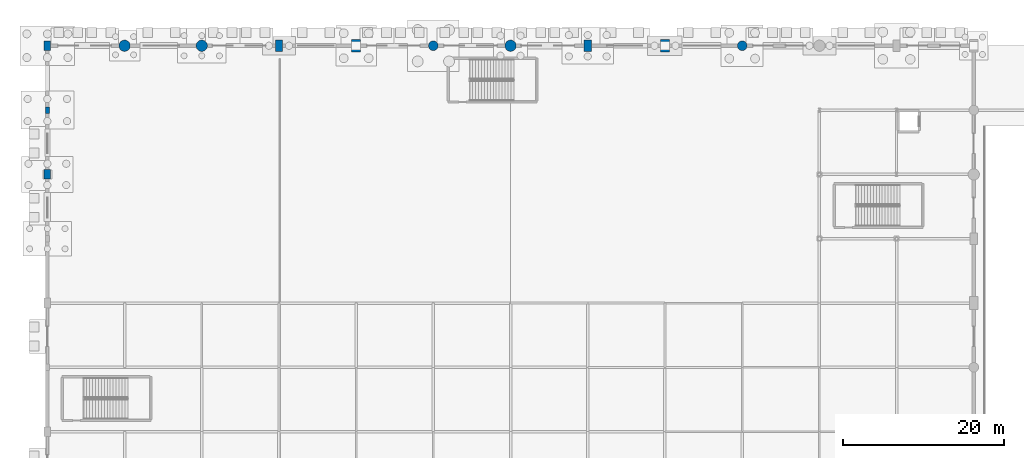
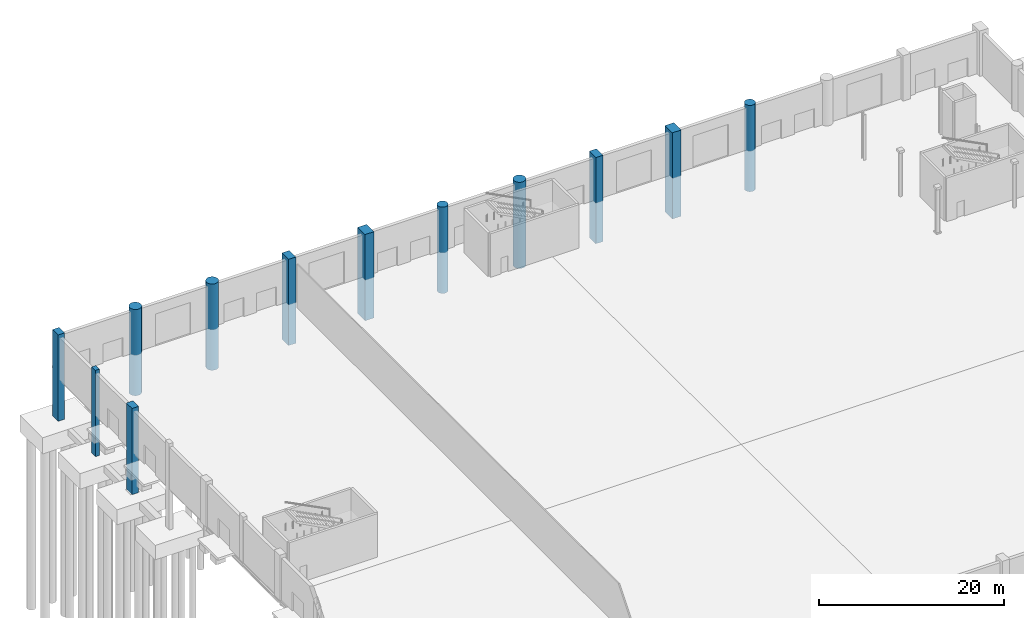
# One storey, part 29 of 124: 12 columns.
"""IFC4 building model written with IfcOpenShell, lengths in metres."""

from ifc_helpers import new_model, si_unit, direction, frame, origin, origin_2d, place, context, subcontext, project, spatial, rectangle, circle, extrude, material, material_profile, profile_set, type_object, element, save


model = new_model("IFC4")

# Units and contexts
model_context = context("Model", 3, precision=1e-05, world=origin(), true_north=direction((0.0, 1.0)))
body_context = subcontext(model_context, "Body", "Model", "MODEL_VIEW")
ifc_project = project(units=[si_unit("LENGTHUNIT", "METRE"), si_unit("AREAUNIT", "SQUARE_METRE"), si_unit("VOLUMEUNIT", "CUBIC_METRE"), si_unit("PLANEANGLEUNIT", "RADIAN"), si_unit("MASSUNIT", "GRAM", prefix="KILO")], contexts=[model_context])

# Site, building, storey
site_placement = place(None, origin())
site = spatial("IfcSite", under=ifc_project, at=site_placement, CompositionType="ELEMENT")
building_placement = place(site_placement, origin())
building = spatial("IfcBuilding", under=site, at=building_placement, Name="Danafjord Basin Convention Centre", CompositionType="ELEMENT")
storey_placement = place(building_placement, origin())
storey = spatial("IfcBuildingStorey", under=building, at=storey_placement, Name="L00", CompositionType="ELEMENT", Elevation=0.0)

# Columns
ifc_material_1 = material(Name="Precast concrete C45/55", Category="concrete")
ifc_material_profile_1 = material_profile(ifc_material_1, rectangle(XDim=0.800048828125, YDim=1.199951171875, at=origin_2d()), Name="RC 1200x800")
ifc_profile_set_1 = profile_set([ifc_material_profile_1], Name="Precast concrete C45/55")
column_type_1 = type_object("IfcColumnType", Name="COL-C-PIL1200", PredefinedType="PILASTER", material=ifc_profile_set_1)
for number, where, z_axis, x_axis, name in (
    (1, (0.0, 128.0, -5.39990234375), (0.0, 0.0, 1.0), (1.0, 0.0, 0.0), "L00 column C-PIL1200 at (0.0, 128.0)"),
    (2, (0.0, 144.0, -5.39990234375), (0.0, 0.0, 1.0), (1.0, 0.0, 0.0), "L00 column C-PIL1200 at (0.0, 144.0)"),
):
    element("IfcColumn", number, at=place(storey_placement, frame(where, z_axis=z_axis, x_axis=x_axis)), inside=storey, type_object=column_type_1, Name=name, PredefinedType="PILASTER", context=body_context, shape_type="SweptSolid", body=[
        extrude(rectangle(XDim=0.800048828125, YDim=1.199951171875, at=origin_2d()), origin(), (0.0, 0.0, 1.0), 11.39990234375),
    ])
ifc_material_profile_2 = material_profile(ifc_material_1, rectangle(XDim=0.5, YDim=0.800048828125, at=origin_2d()), Name="PCB 500x800")
ifc_profile_set_2 = profile_set([ifc_material_profile_2], Name="Precast concrete C45/55")
column_type_2 = type_object("IfcColumnType", Name="COL-C-PIL800", PredefinedType="PILASTER", material=ifc_profile_set_2)
column_placement = place(storey_placement, frame((0.0, 136.0, -5.39990234375), z_axis=(0.0, 0.0, 1.0), x_axis=(1.0, 0.0, 0.0)))
element("IfcColumn", 3, at=column_placement, inside=storey, type_object=column_type_2, Name="L00 column C-PIL800 at (0.0, 136.0)", PredefinedType="PILASTER", context=body_context, shape_type="SweptSolid", body=[
    extrude(rectangle(XDim=0.5, YDim=0.800048828125, at=origin_2d()), origin(), (0.0, 0.0, 1.0), 11.39990234375),
])
ifc_material_2 = material(Name="Concrete C50/60", Category="concrete")
ifc_material_profile_3 = material_profile(ifc_material_2, rectangle(XDim=0.89990234375, YDim=1.39990234375, at=origin_2d()), Name="RC 1400x900")
ifc_profile_set_3 = profile_set([ifc_material_profile_3], Name="Concrete C50/60")
column_type_3 = type_object("IfcColumnType", Name="COL-C-RC1400", PredefinedType="COLUMN", material=ifc_profile_set_3)
for number, where, z_axis, x_axis, name in (
    (4, (28.800048828125, 144.0, -5.39990234375), (0.0, 0.0, 1.0), (1.0, 0.0, 0.0), "L00 column C-RC1400 at (28.8, 144.0)"),
    (5, (67.199951171875, 144.0, -5.39990234375), (0.0, 0.0, 1.0), (1.0, 0.0, 0.0), "L00 column C-RC1400 at (67.2, 144.0)"),
):
    element("IfcColumn", number, at=place(storey_placement, frame(where, z_axis=z_axis, x_axis=x_axis)), inside=storey, type_object=column_type_3, Name=name, PredefinedType="COLUMN", context=body_context, shape_type="SweptSolid", body=[
        extrude(rectangle(XDim=0.89990234375, YDim=1.39990234375, at=origin_2d()), origin(), (0.0, 0.0, 1.0), 11.39990234375),
    ])
ifc_material_profile_4 = material_profile(ifc_material_2, rectangle(XDim=1.10009765625, YDim=1.60009765625, at=origin_2d()), Name="RC 1600x1100")
ifc_profile_set_4 = profile_set([ifc_material_profile_4], Name="Concrete C50/60")
column_type_4 = type_object("IfcColumnType", Name="COL-C-RC1600", PredefinedType="COLUMN", material=ifc_profile_set_4)
for number, where, z_axis, x_axis, name in (
    (6, (38.39990234375, 144.0, -5.39990234375), (0.0, 0.0, 1.0), (1.0, 0.0, 0.0), "L00 column C-RC1600 at (38.4, 144.0)"),
    (7, (76.800048828125, 144.0, -5.39990234375), (0.0, 0.0, 1.0), (1.0, 0.0, 0.0), "L00 column C-RC1600 at (76.8, 144.0)"),
):
    element("IfcColumn", number, at=place(storey_placement, frame(where, z_axis=z_axis, x_axis=x_axis)), inside=storey, type_object=column_type_4, Name=name, PredefinedType="COLUMN", context=body_context, shape_type="SweptSolid", body=[
        extrude(rectangle(XDim=1.10009765625, YDim=1.60009765625, at=origin_2d()), origin(), (0.0, 0.0, 1.0), 11.39990234375),
    ])
ifc_material_profile_5 = material_profile(ifc_material_2, circle(Radius=0.60009765625, at=origin_2d()), Name="RC D1200")
ifc_profile_set_5 = profile_set([ifc_material_profile_5], Name="Concrete C50/60")
column_type_5 = type_object("IfcColumnType", Name="COL-C-RCD1200", PredefinedType="COLUMN", material=ifc_profile_set_5)
for number, where, z_axis, x_axis, name in (
    (8, (48.0, 144.0, -5.39990234375), (0.0, 0.0, 1.0), (1.0, 0.0, 0.0), "L00 column C-RCD1200 at (48.0, 144.0)"),
    (9, (86.39990234375, 144.0, -5.39990234375), (0.0, 0.0, 1.0), (1.0, 0.0, 0.0), "L00 column C-RCD1200 at (86.4, 144.0)"),
):
    element("IfcColumn", number, at=place(storey_placement, frame(where, z_axis=z_axis, x_axis=x_axis)), inside=storey, type_object=column_type_5, Name=name, PredefinedType="COLUMN", context=body_context, shape_type="SweptSolid", body=[
        extrude(circle(Radius=0.60009765625, at=origin_2d()), origin(), (0.0, 0.0, 1.0), 11.39990234375),
    ])
ifc_material_profile_6 = material_profile(ifc_material_2, circle(Radius=0.699951171875, at=origin_2d()), Name="RC D1400")
ifc_profile_set_6 = profile_set([ifc_material_profile_6], Name="Concrete C50/60")
column_type_6 = type_object("IfcColumnType", Name="COL-C-RCD1400", PredefinedType="COLUMN", material=ifc_profile_set_6)
for number, where, z_axis, x_axis, name in (
    (10, (9.60009765625, 144.0, -5.39990234375), (0.0, 0.0, 1.0), (1.0, 0.0, 0.0), "L00 column C-RCD1400 at (9.6, 144.0)"),
    (11, (19.199951171875, 144.0, -5.39990234375), (0.0, 0.0, 1.0), (1.0, 0.0, 0.0), "L00 column C-RCD1400 at (19.2, 144.0)"),
    (12, (57.60009765625, 144.0, -5.39990234375), (0.0, 0.0, 1.0), (1.0, 0.0, 0.0), "L00 column C-RCD1400 at (57.6, 144.0)"),
):
    element("IfcColumn", number, at=place(storey_placement, frame(where, z_axis=z_axis, x_axis=x_axis)), inside=storey, type_object=column_type_6, Name=name, PredefinedType="COLUMN", context=body_context, shape_type="SweptSolid", body=[
        extrude(circle(Radius=0.699951171875, at=origin_2d()), origin(), (0.0, 0.0, 1.0), 11.39990234375),
    ])

save(model, "model.ifc")
